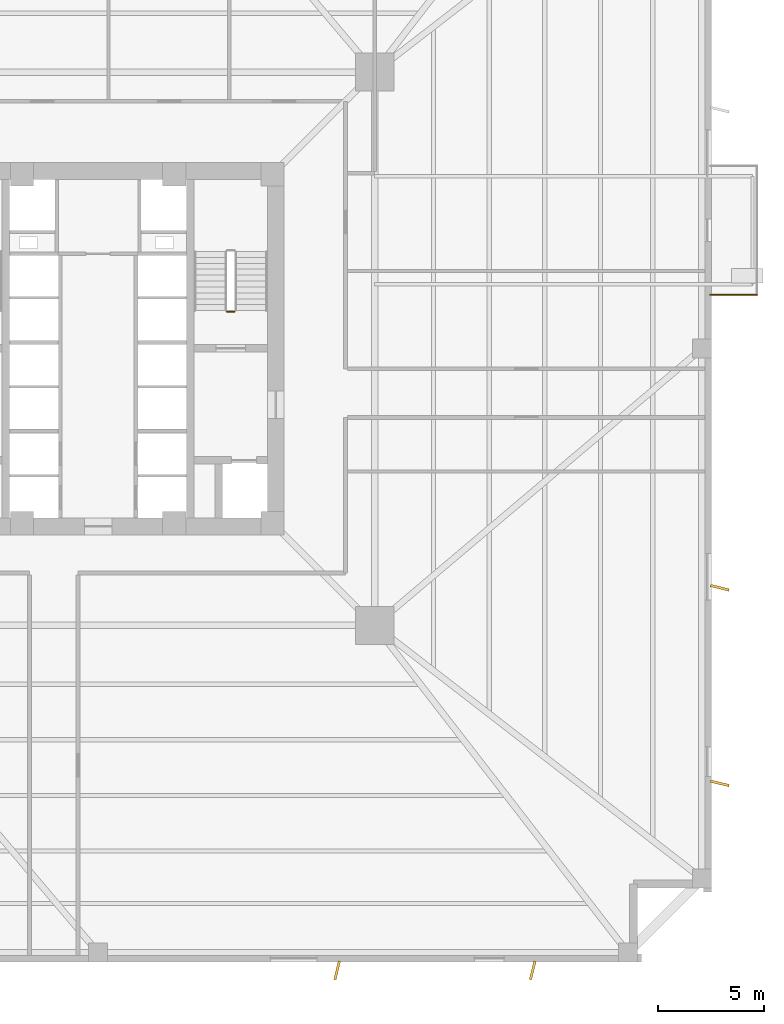
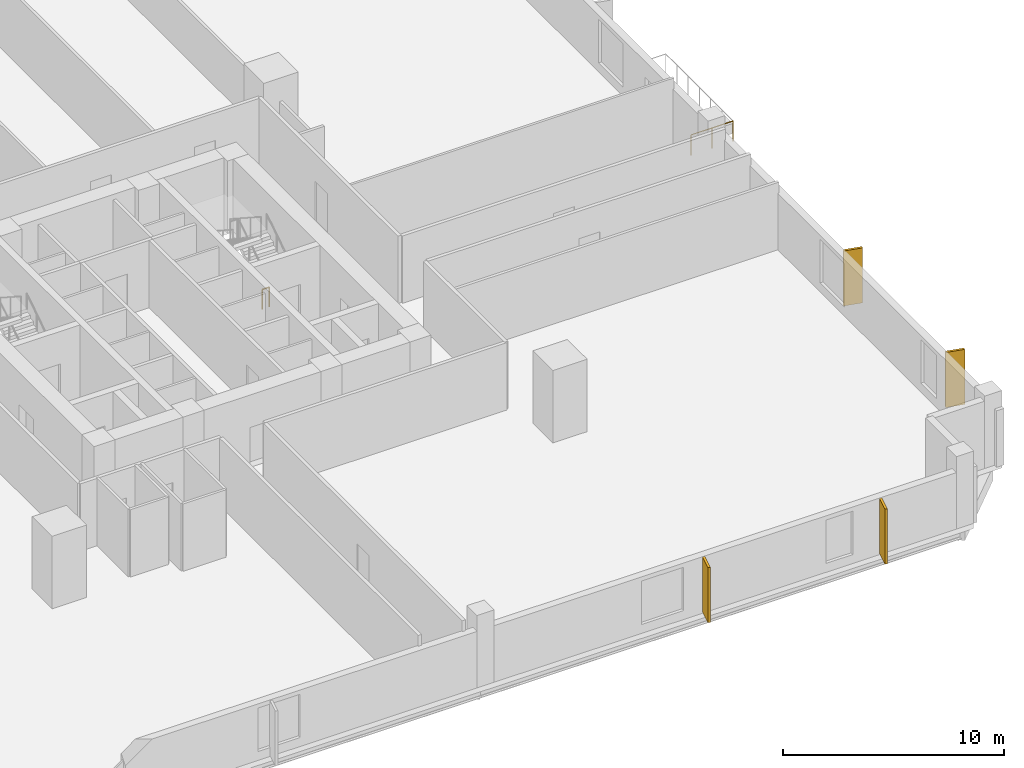
# One storey, part 6 of 8: 4 coverings, 2 railings.
"""IFC4 building model written with IfcOpenShell, lengths in metres."""

from ifc_helpers import new_model, si_unit, direction, frame, origin, origin_2d, place, context, subcontext, project, spatial, rectangle, circle, extrude, source, transform, mapped, material, layer, layer_set, type_object, element, save


model = new_model("IFC4")

# Units and contexts
model_context = context("Model", 3, precision=1e-05, world=origin(), true_north=direction((0.0, 1.0)))
body_context = subcontext(model_context, "Body", "Model", "MODEL_VIEW")
ifc_project = project(units=[si_unit("LENGTHUNIT", "METRE"), si_unit("AREAUNIT", "SQUARE_METRE"), si_unit("VOLUMEUNIT", "CUBIC_METRE"), si_unit("PLANEANGLEUNIT", "RADIAN"), si_unit("MASSUNIT", "GRAM", prefix="KILO"), si_unit("THERMODYNAMICTEMPERATUREUNIT", "KELVIN")], contexts=[model_context])

# Site, building, storey
site_placement = place(None, origin())
site = spatial("IfcSite", under=ifc_project, at=site_placement, CompositionType="ELEMENT")
building_placement = place(site_placement, origin())
building = spatial("IfcBuilding", under=site, at=building_placement, Name="Kosmvard Interchange Tower", CompositionType="ELEMENT")
storey_placement = place(building_placement, frame((0.0, 0.0, 46.0)))
storey = spatial("IfcBuildingStorey", under=building, at=storey_placement, Name="L10", CompositionType="ELEMENT", Elevation=46.0)

# Coverings
ifc_material_1 = material(Name="Architectural anodised aluminium", Category="aluminium")
ifc_layer = layer(ifc_material_1, 0.1201171875, Name="Architectural anodised aluminium")
ifc_layer_set = layer_set([ifc_layer], Name="Architectural anodised aluminium")
covering_type = type_object("IfcCoveringType", Name="Rotating Vertical Sun-Breaker Fin 900x120 Aluminium", PredefinedType="CLADDING", material=ifc_layer_set)
shared_shape_1 = source(origin(), body_context, "Body", "SweptSolid", [
    extrude(rectangle(XDim=0.89990234375, YDim=0.1201171875, at=origin_2d()), origin(), (0.0, 0.0, 1.0), 3.0400390625),
])
for number, where, z_axis, x_axis, name in (
    (1, (11.3037109375, -29.39990234375, 0.0400390625), (0.0, 0.0, 1.0), (-0.237685892326, -0.971342069813, 0.0), "L10 Rotating Vertical Sun-Breaker Fin 03"),
    (2, (20.552001953125, -29.39990234375, 0.0400390625), (0.0, 0.0, 1.0), (-0.237685892326, -0.971342069813, 0.0), "L10 Rotating Vertical Sun-Breaker Fin 04"),
    (3, (29.39990234375, -20.552001953125, 0.0400390625), (0.0, 0.0, 1.0), (0.971342069813, -0.237685892326, 0.0), "L10 Rotating Vertical Sun-Breaker Fin 05"),
    (4, (29.39990234375, -11.3037109375, 0.0400390625), (0.0, 0.0, 1.0), (0.971342069813, -0.237685892326, 0.0), "L10 Rotating Vertical Sun-Breaker Fin 06"),
):
    element("IfcCovering", number, at=place(storey_placement, frame(where, z_axis=z_axis, x_axis=x_axis)), inside=storey, type_object=covering_type, Name=name, PredefinedType="CLADDING", context=body_context, shape_type="MappedRepresentation", body=[
        mapped(shared_shape_1, transform((0.0, 0.0, 0.0), scale=1.0)),
    ])

# Railings
ifc_material_2 = material(Name="Steel S355", Category="steel")
railing_type_1 = type_object("IfcRailingType", Name="Observation & Balcony Glass-Infill Balustrade 1150", PredefinedType="BALUSTRADE", material=ifc_material_2)
shared_shape_2 = source(origin(), body_context, "Body", "SweptSolid", [
    extrude(circle(Radius=0.02392578125, at=origin_2d()), frame((0.0, 0.0, 1.1259765625), z_axis=(1.0, 0.0, 0.0), x_axis=(0.0, 1.0, 0.0)), (0.0, 0.0, 1.0), 2.199951171875),
    extrude(circle(Radius=0.02099609375, at=origin_2d()), origin(), (0.0, 0.0, 1.0), 1.101806640625),
    extrude(circle(Radius=0.02099609375, at=origin_2d()), frame((1.10009765625, 0.0, 0.0)), (0.0, 0.0, 1.0), 1.101806640625),
    extrude(circle(Radius=0.02099609375, at=origin_2d()), frame((2.199951171875, 0.0, 0.0)), (0.0, 0.0, 1.0), 1.101806640625),
])
railing_1_placement = place(storey_placement, frame((28.949951171875, 2.550048828125, 0.0)))
element("IfcRailing", 5, at=railing_1_placement, inside=storey, type_object=railing_type_1, Name="L10 Outdoor Terrace Guard BAL-L10-E-A", PredefinedType="BALUSTRADE", context=body_context, shape_type="MappedRepresentation", body=[
    mapped(shared_shape_2, transform((0.0, 0.0, 0.0), scale=1.0)),
])
railing_type_2 = type_object("IfcRailingType", Name="Stair & Terrace Safety Guardrail 1100 Steel", PredefinedType="GUARDRAIL", material=ifc_material_2)
shared_shape_3 = source(origin(), body_context, "Body", "SweptSolid", [
    extrude(circle(Radius=0.02392578125, at=origin_2d()), frame((0.0, 0.0, 1.076171875), z_axis=(-1.0, 0.0, 0.0), x_axis=(0.0, -1.0, 0.0)), (0.0, 0.0, 1.0), 0.35986328125),
    extrude(circle(Radius=0.02099609375, at=origin_2d()), origin(), (0.0, 0.0, 1.0), 1.052001953125),
    extrude(circle(Radius=0.02099609375, at=origin_2d()), frame((-0.35986328125, 0.0, 0.0)), (0.0, 0.0, 1.0), 1.052001953125),
])
railing_2_placement = place(storey_placement, frame((6.449951171875, 1.75, 0.0)))
element("IfcRailing", 6, at=railing_2_placement, inside=storey, type_object=railing_type_2, Name="L10 ST-2 stair guard 4", PredefinedType="GUARDRAIL", context=body_context, shape_type="MappedRepresentation", body=[
    mapped(shared_shape_3, transform((0.0, 0.0, 0.0), scale=1.0)),
])

save(model, "model.ifc")
